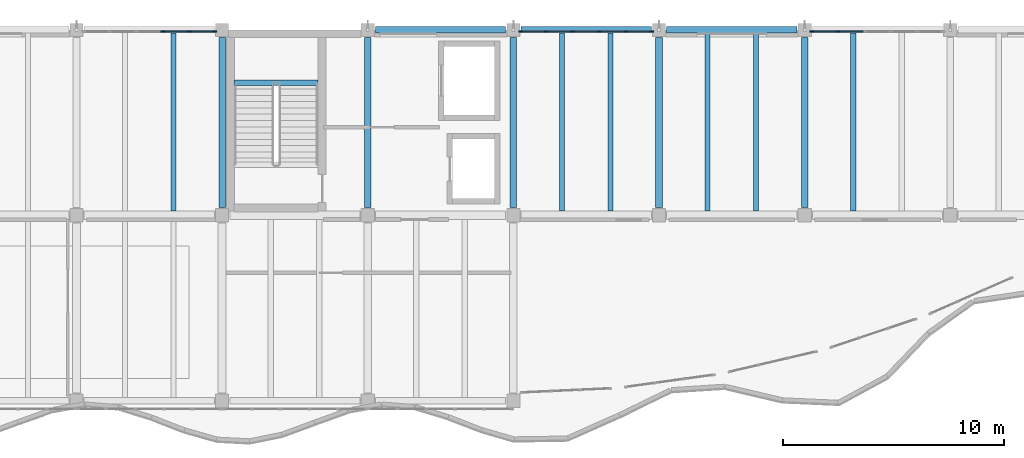
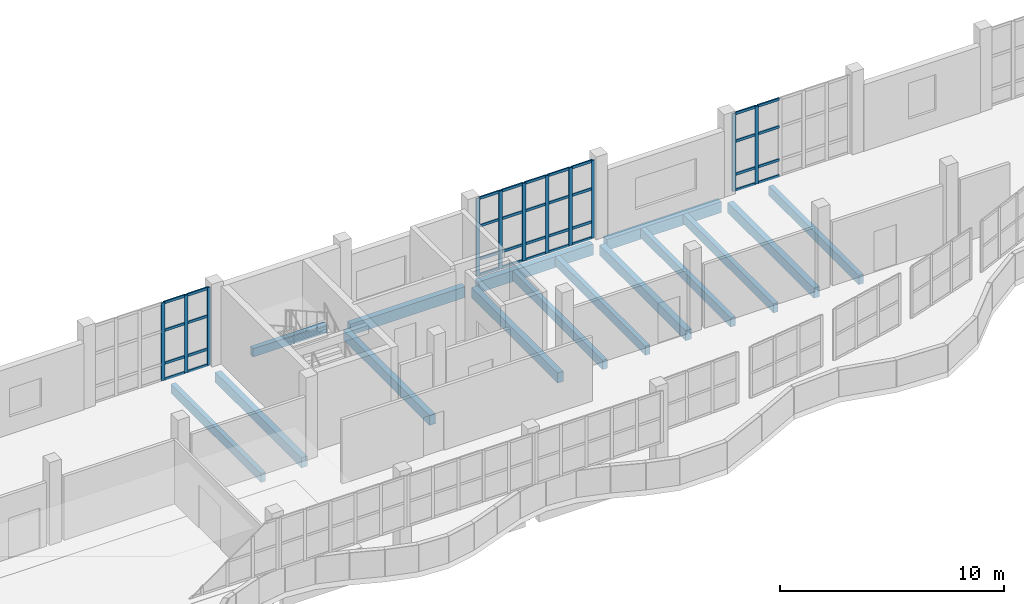
# One storey, part 16 of 76: 47 members, 15 beams, 3 elements without a shape of their own.
"""IFC4 building model written with IfcOpenShell, lengths in metres."""

from ifc_helpers import new_model, si_unit, direction, frame, origin, origin_2d, place, context, subcontext, project, spatial, rectangle, extrude, material, material_profile, profile_set, type_object, element, aggregate, save


model = new_model("IFC4")

# Units and contexts
model_context = context("Model", 3, precision=1e-05, world=origin(), true_north=direction((0.0, 1.0)))
body_context = subcontext(model_context, "Body", "Model", "MODEL_VIEW")
ifc_project = project(units=[si_unit("LENGTHUNIT", "METRE"), si_unit("AREAUNIT", "SQUARE_METRE"), si_unit("VOLUMEUNIT", "CUBIC_METRE"), si_unit("PLANEANGLEUNIT", "RADIAN"), si_unit("MASSUNIT", "GRAM", prefix="KILO")], contexts=[model_context])

# Site, building, storey
site_placement = place(None, origin())
site = spatial("IfcSite", under=ifc_project, at=site_placement, CompositionType="ELEMENT")
building_placement = place(site_placement, origin())
building = spatial("IfcBuilding", under=site, at=building_placement, Name="Qaldarim Faculty of Natural and Applied Sciences", CompositionType="ELEMENT")
storey_placement = place(building_placement, frame((0.0, 0.0, 9.89990234375)))
storey = spatial("IfcBuildingStorey", under=building, at=storey_placement, Name="L02", CompositionType="ELEMENT", Elevation=9.89990234375)

# Beams
ifc_material_1 = material(Name="Concrete C40/50", Category="concrete")
ifc_material_profile_1 = material_profile(ifc_material_1, rectangle(XDim=0.300048828125, YDim=0.550048828125, at=origin_2d()), Name="RC-B300x550")
ifc_profile_set_1 = profile_set([ifc_material_profile_1], Name="Concrete C40/50")
beam_type_1 = type_object("IfcBeamType", Name="FloorBeam-RC300x550", PredefinedType="BEAM", material=ifc_profile_set_1)
for number, where, z_axis, x_axis, name in (
    (1, (99.0, 109.550048828125, -0.574951171875), (0.0, 1.0, 0.0), (-1.0, 0.0, 0.0), "Beam RC-B300x550 L01 X16/Y14-Y15"),
    (2, (105.60009765625, 109.550048828125, -0.574951171875), (0.0, 1.0, 0.0), (-1.0, 0.0, 0.0), "Beam RC-B300x550 L01 X17/Y14-Y15"),
    (3, (112.199951171875, 109.550048828125, -0.574951171875), (0.0, 1.0, 0.0), (-1.0, 0.0, 0.0), "Beam RC-B300x550 L01 X18/Y14-Y15"),
    (4, (118.800048828125, 109.550048828125, -0.574951171875), (0.0, 1.0, 0.0), (-1.0, 0.0, 0.0), "Beam RC-B300x550 L01 X19/Y14-Y15"),
    (5, (125.39990234375, 109.550048828125, -0.574951171875), (0.0, 1.0, 0.0), (-1.0, 0.0, 0.0), "Beam RC-B300x550 L01 X20/Y14-Y15"),
):
    element("IfcBeam", number, at=place(storey_placement, frame(where, z_axis=z_axis, x_axis=x_axis)), inside=storey, type_object=beam_type_1, Name=name, PredefinedType="BEAM", context=body_context, shape_type="SweptSolid", body=[
        extrude(rectangle(XDim=0.300048828125, YDim=0.550048828125, at=origin_2d()), origin(), (0.0, 0.0, 1.0), 7.699951171875),
    ])
ifc_material_profile_2 = material_profile(ifc_material_1, rectangle(XDim=0.239990234375, YDim=0.5, at=origin_2d()), Name="RC-J240x500")
ifc_profile_set_2 = profile_set([ifc_material_profile_2], Name="Concrete C40/50")
beam_type_2 = type_object("IfcBeamType", Name="HeavyJoist-RC240x500", PredefinedType="JOIST", material=ifc_profile_set_2)
for number, where, z_axis, x_axis, name in (
    (6, (96.800048828125, 109.39990234375, -0.5498046875), (0.0, 1.0, 0.0), (-1.0, 0.0, 0.0), "Laboratory joist L01 bay X15Y14-2"),
    (7, (114.39990234375, 109.39990234375, -0.5498046875), (0.0, 1.0, 0.0), (-1.0, 0.0, 0.0), "Laboratory joist L01 bay X18Y14-1"),
    (8, (116.60009765625, 109.39990234375, -0.5498046875), (0.0, 1.0, 0.0), (-1.0, 0.0, 0.0), "Laboratory joist L01 bay X18Y14-2"),
    (9, (121.0, 109.39990234375, -0.5498046875), (0.0, 1.0, 0.0), (-1.0, 0.0, 0.0), "Laboratory joist L01 bay X19Y14-1"),
    (10, (123.199951171875, 109.39990234375, -0.5498046875), (0.0, 1.0, 0.0), (-1.0, 0.0, 0.0), "Laboratory joist L01 bay X19Y14-2"),
    (11, (127.60009765625, 109.39990234375, -0.5498046875), (0.0, 1.0, 0.0), (-1.0, 0.0, 0.0), "Laboratory joist L01 bay X20Y14-1"),
):
    element("IfcBeam", number, at=place(storey_placement, frame(where, z_axis=z_axis, x_axis=x_axis)), inside=storey, type_object=beam_type_2, Name=name, PredefinedType="JOIST", context=body_context, shape_type="SweptSolid", body=[
        extrude(rectangle(XDim=0.239990234375, YDim=0.5, at=origin_2d()), origin(), (0.0, 0.0, 1.0), 8.050048828125),
    ])
ifc_material_profile_3 = material_profile(ifc_material_1, rectangle(XDim=0.25, YDim=0.449951171875, at=origin_2d()), Name="RC-LN250x450")
ifc_profile_set_3 = profile_set([ifc_material_profile_3], Name="Concrete C40/50")
beam_type_3 = type_object("IfcBeamType", Name="LandingSupportBeam-RC250x450", PredefinedType="BEAM", material=ifc_profile_set_3)
beam_1_placement = place(storey_placement, frame((99.550048828125, 115.205078125, 1.815185546875), z_axis=(1.0, 0.0, 0.0), x_axis=(0.0, 1.0, 0.0)))
element("IfcBeam", 12, at=beam_1_placement, inside=storey, type_object=beam_type_3, Name="Stair landing support beam ST-B1 L02", PredefinedType="BEAM", context=body_context, shape_type="SweptSolid", body=[
    extrude(rectangle(XDim=0.25, YDim=0.449951171875, at=origin_2d()), origin(), (0.0, 0.0, 1.0), 3.800048828125),
])

# Curtain wall, members
ifc_material_2 = material(Name="Anodised aluminium AW-6063", Category="aluminium")
curtain_wall_type = type_object("IfcCurtainWallType", Name="CurtainWallSystem-M1200", PredefinedType="USERDEFINED", material=ifc_material_2)
curtain_wall_1_placement = place(storey_placement, origin())
curtain_wall_1 = element("IfcCurtainWall", 13, at=curtain_wall_1_placement, inside=storey, type_object=curtain_wall_type, Name="Curtain wall CW-L02-N-X15Y14", ObjectType="STICK CURTAIN WALL", PredefinedType="USERDEFINED")
ifc_material_profile_4 = material_profile(ifc_material_2, rectangle(XDim=0.070068359375, YDim=0.179931640625, at=origin_2d()), Name="ALU-M70x180")
ifc_profile_set_4 = profile_set([ifc_material_profile_4], Name="Anodised aluminium AW-6063")
member_type_1 = type_object("IfcMemberType", Name="Mullion-ALU70x180", PredefinedType="MULLION", material=ifc_profile_set_4)
member_1_placement = place(storey_placement, frame((98.669921875, 117.52001953125, 0.0), z_axis=(0.0, 0.0, 1.0), x_axis=(0.0, -1.0, 0.0)))
member_1 = element("IfcMember", 14, at=member_1_placement, type_object=member_type_1, Name="Mullion 1 of CW-L02-N-X15Y14", PredefinedType="MULLION", context=body_context, shape_type="SweptSolid", body=[
    extrude(rectangle(XDim=0.070068359375, YDim=0.179931640625, at=origin_2d()), origin(), (0.0, 0.0, 1.0), 4.239990234375),
])
member_2_placement = place(storey_placement, frame((97.5029296875, 117.52001953125, 0.0), z_axis=(0.0, 0.0, 1.0), x_axis=(0.0, -1.0, 0.0)))
member_2 = element("IfcMember", 15, at=member_2_placement, type_object=member_type_1, Name="Mullion 2 of CW-L02-N-X15Y14", PredefinedType="MULLION", context=body_context, shape_type="SweptSolid", body=[
    extrude(rectangle(XDim=0.070068359375, YDim=0.179931640625, at=origin_2d()), origin(), (0.0, 0.0, 1.0), 4.239990234375),
])
member_3_placement = place(storey_placement, frame((96.301025390625, 117.52001953125, 0.0), z_axis=(0.0, 0.0, 1.0), x_axis=(0.0, -1.0, 0.0)))
member_3 = element("IfcMember", 16, at=member_3_placement, type_object=member_type_1, Name="Mullion 3 of CW-L02-N-X15Y14", PredefinedType="MULLION", context=body_context, shape_type="SweptSolid", body=[
    extrude(rectangle(XDim=0.070068359375, YDim=0.179931640625, at=origin_2d()), origin(), (0.0, 0.0, 1.0), 4.239990234375),
])

curtain_wall_2_placement = place(storey_placement, origin())
curtain_wall_2 = element("IfcCurtainWall", 17, at=curtain_wall_2_placement, inside=storey, type_object=curtain_wall_type, Name="Curtain wall CW-L02-N-X18Y14", ObjectType="STICK CURTAIN WALL", PredefinedType="USERDEFINED")
member_4_placement = place(storey_placement, frame((118.469970703125, 117.52001953125, 0.0), z_axis=(0.0, 0.0, 1.0), x_axis=(0.0, -1.0, 0.0)))
member_4 = element("IfcMember", 18, at=member_4_placement, type_object=member_type_1, Name="Mullion 1 of CW-L02-N-X18Y14", PredefinedType="MULLION", context=body_context, shape_type="SweptSolid", body=[
    extrude(rectangle(XDim=0.070068359375, YDim=0.179931640625, at=origin_2d()), origin(), (0.0, 0.0, 1.0), 4.239990234375),
])
member_5_placement = place(storey_placement, frame((117.302978515625, 117.52001953125, 0.0), z_axis=(0.0, 0.0, 1.0), x_axis=(0.0, -1.0, 0.0)))
member_5 = element("IfcMember", 19, at=member_5_placement, type_object=member_type_1, Name="Mullion 2 of CW-L02-N-X18Y14", PredefinedType="MULLION", context=body_context, shape_type="SweptSolid", body=[
    extrude(rectangle(XDim=0.070068359375, YDim=0.179931640625, at=origin_2d()), origin(), (0.0, 0.0, 1.0), 4.239990234375),
])
member_6_placement = place(storey_placement, frame((116.10107421875, 117.52001953125, 0.0), z_axis=(0.0, 0.0, 1.0), x_axis=(0.0, -1.0, 0.0)))
member_6 = element("IfcMember", 20, at=member_6_placement, type_object=member_type_1, Name="Mullion 3 of CW-L02-N-X18Y14", PredefinedType="MULLION", context=body_context, shape_type="SweptSolid", body=[
    extrude(rectangle(XDim=0.070068359375, YDim=0.179931640625, at=origin_2d()), origin(), (0.0, 0.0, 1.0), 4.239990234375),
])
member_7_placement = place(storey_placement, frame((114.89892578125, 117.52001953125, 0.0), z_axis=(0.0, 0.0, 1.0), x_axis=(0.0, -1.0, 0.0)))
member_7 = element("IfcMember", 21, at=member_7_placement, type_object=member_type_1, Name="Mullion 4 of CW-L02-N-X18Y14", PredefinedType="MULLION", context=body_context, shape_type="SweptSolid", body=[
    extrude(rectangle(XDim=0.070068359375, YDim=0.179931640625, at=origin_2d()), origin(), (0.0, 0.0, 1.0), 4.239990234375),
])
member_8_placement = place(storey_placement, frame((113.697021484375, 117.52001953125, 0.0), z_axis=(0.0, 0.0, 1.0), x_axis=(0.0, -1.0, 0.0)))
member_8 = element("IfcMember", 22, at=member_8_placement, type_object=member_type_1, Name="Mullion 5 of CW-L02-N-X18Y14", PredefinedType="MULLION", context=body_context, shape_type="SweptSolid", body=[
    extrude(rectangle(XDim=0.070068359375, YDim=0.179931640625, at=origin_2d()), origin(), (0.0, 0.0, 1.0), 4.239990234375),
])
member_9_placement = place(storey_placement, frame((112.530029296875, 117.52001953125, 0.0), z_axis=(0.0, 0.0, 1.0), x_axis=(0.0, -1.0, 0.0)))
member_9 = element("IfcMember", 23, at=member_9_placement, type_object=member_type_1, Name="Mullion 6 of CW-L02-N-X18Y14", PredefinedType="MULLION", context=body_context, shape_type="SweptSolid", body=[
    extrude(rectangle(XDim=0.070068359375, YDim=0.179931640625, at=origin_2d()), origin(), (0.0, 0.0, 1.0), 4.239990234375),
])

curtain_wall_3_placement = place(storey_placement, origin())
curtain_wall_3 = element("IfcCurtainWall", 24, at=curtain_wall_3_placement, inside=storey, type_object=curtain_wall_type, Name="Curtain wall CW-L02-N-X20Y14", ObjectType="STICK CURTAIN WALL", PredefinedType="USERDEFINED")
member_10_placement = place(storey_placement, frame((126.89697265625, 117.52001953125, 0.0), z_axis=(0.0, 0.0, 1.0), x_axis=(0.0, -1.0, 0.0)))
member_10 = element("IfcMember", 25, at=member_10_placement, type_object=member_type_1, Name="Mullion 5 of CW-L02-N-X20Y14", PredefinedType="MULLION", context=body_context, shape_type="SweptSolid", body=[
    extrude(rectangle(XDim=0.070068359375, YDim=0.179931640625, at=origin_2d()), origin(), (0.0, 0.0, 1.0), 4.239990234375),
])
member_11_placement = place(storey_placement, frame((125.72998046875, 117.52001953125, 0.0), z_axis=(0.0, 0.0, 1.0), x_axis=(0.0, -1.0, 0.0)))
member_11 = element("IfcMember", 26, at=member_11_placement, type_object=member_type_1, Name="Mullion 6 of CW-L02-N-X20Y14", PredefinedType="MULLION", context=body_context, shape_type="SweptSolid", body=[
    extrude(rectangle(XDim=0.070068359375, YDim=0.179931640625, at=origin_2d()), origin(), (0.0, 0.0, 1.0), 4.239990234375),
])

# Beams
ifc_material_3 = material(Name="Precast concrete C40/50", Category="concrete")
ifc_material_profile_5 = material_profile(ifc_material_3, rectangle(XDim=0.300048828125, YDim=0.60009765625, at=origin_2d()), Name="RC-SP300x600")
ifc_profile_set_5 = profile_set([ifc_material_profile_5], Name="Precast concrete C40/50")
beam_type_4 = type_object("IfcBeamType", Name="SpandrelBeam-RC300x600", PredefinedType="SPANDREL", material=ifc_profile_set_5)
beam_2_placement = place(storey_placement, frame((105.949951171875, 117.60009765625, -0.599853515625), z_axis=(1.0, 0.0, 0.0), x_axis=(0.0, 1.0, 0.0)))
element("IfcBeam", 27, at=beam_2_placement, inside=storey, type_object=beam_type_4, Name="Beam RC-SP300x600 L01 X17-X18/Y15", PredefinedType="SPANDREL", context=body_context, shape_type="SweptSolid", body=[
    extrude(rectangle(XDim=0.300048828125, YDim=0.60009765625, at=origin_2d()), origin(), (0.0, 0.0, 1.0), 5.900146484375),
])
beam_3_placement = place(storey_placement, frame((112.550048828125, 117.60009765625, -0.599853515625), z_axis=(1.0, 0.0, 0.0), x_axis=(0.0, 1.0, 0.0)))
element("IfcBeam", 28, at=beam_3_placement, inside=storey, type_object=beam_type_4, Name="Beam RC-SP300x600 L01 X18-X19/Y15", PredefinedType="SPANDREL", context=body_context, shape_type="SweptSolid", body=[
    extrude(rectangle(XDim=0.300048828125, YDim=0.60009765625, at=origin_2d()), origin(), (0.0, 0.0, 1.0), 5.89990234375),
])
beam_4_placement = place(storey_placement, frame((119.14990234375, 117.60009765625, -0.599853515625), z_axis=(1.0, 0.0, 0.0), x_axis=(0.0, 1.0, 0.0)))
element("IfcBeam", 29, at=beam_4_placement, inside=storey, type_object=beam_type_4, Name="Beam RC-SP300x600 L01 X19-X20/Y15", PredefinedType="SPANDREL", context=body_context, shape_type="SweptSolid", body=[
    extrude(rectangle(XDim=0.300048828125, YDim=0.60009765625, at=origin_2d()), origin(), (0.0, 0.0, 1.0), 5.900146484375),
])

# Member
ifc_material_profile_6 = material_profile(ifc_material_2, rectangle(XDim=0.070068359375, YDim=0.139892578125, at=origin_2d()), Name="ALU-T70x140")
ifc_profile_set_6 = profile_set([ifc_material_profile_6], Name="Anodised aluminium AW-6063")
member_type_2 = type_object("IfcMemberType", Name="Transom-ALU70x140", PredefinedType="USERDEFINED", material=ifc_profile_set_6)
member_12_placement = place(storey_placement, frame((98.635009765625, 117.52001953125, 0.03515625), z_axis=(-1.0, 0.0, 0.0), x_axis=(0.0, -1.0, 0.0)))
member_12 = element("IfcMember", 30, at=member_12_placement, type_object=member_type_2, Name="Transom 1-1 of CW-L02-N-X15Y14", ObjectType="TRANSOM", PredefinedType="USERDEFINED", context=body_context, shape_type="SweptSolid", body=[
    extrude(rectangle(XDim=0.070068359375, YDim=0.139892578125, at=origin_2d()), origin(), (0.0, 0.0, 1.0), 1.096923828125),
])

member_13_placement = place(storey_placement, frame((98.635009765625, 117.52001953125, 0.900146484375), z_axis=(-1.0, 0.0, 0.0), x_axis=(0.0, -1.0, 0.0)))
member_13 = element("IfcMember", 31, at=member_13_placement, type_object=member_type_2, Name="Transom 1-2 of CW-L02-N-X15Y14", ObjectType="TRANSOM", PredefinedType="USERDEFINED", context=body_context, shape_type="SweptSolid", body=[
    extrude(rectangle(XDim=0.070068359375, YDim=0.139892578125, at=origin_2d()), origin(), (0.0, 0.0, 1.0), 1.096923828125),
])

member_14_placement = place(storey_placement, frame((98.635009765625, 117.52001953125, 2.7001953125), z_axis=(-1.0, 0.0, 0.0), x_axis=(0.0, -1.0, 0.0)))
member_14 = element("IfcMember", 32, at=member_14_placement, type_object=member_type_2, Name="Transom 1-3 of CW-L02-N-X15Y14", ObjectType="TRANSOM", PredefinedType="USERDEFINED", context=body_context, shape_type="SweptSolid", body=[
    extrude(rectangle(XDim=0.070068359375, YDim=0.139892578125, at=origin_2d()), origin(), (0.0, 0.0, 1.0), 1.096923828125),
])

member_15_placement = place(storey_placement, frame((98.635009765625, 117.52001953125, 4.205078125), z_axis=(-1.0, 0.0, 0.0), x_axis=(0.0, -1.0, 0.0)))
member_15 = element("IfcMember", 33, at=member_15_placement, type_object=member_type_2, Name="Transom 1-4 of CW-L02-N-X15Y14", ObjectType="TRANSOM", PredefinedType="USERDEFINED", context=body_context, shape_type="SweptSolid", body=[
    extrude(rectangle(XDim=0.070068359375, YDim=0.139892578125, at=origin_2d()), origin(), (0.0, 0.0, 1.0), 1.096923828125),
])

member_16_placement = place(storey_placement, frame((97.468017578125, 117.52001953125, 0.03515625), z_axis=(-1.0, 0.0, 0.0), x_axis=(0.0, -1.0, 0.0)))
member_16 = element("IfcMember", 34, at=member_16_placement, type_object=member_type_2, Name="Transom 2-1 of CW-L02-N-X15Y14", ObjectType="TRANSOM", PredefinedType="USERDEFINED", context=body_context, shape_type="SweptSolid", body=[
    extrude(rectangle(XDim=0.070068359375, YDim=0.139892578125, at=origin_2d()), origin(), (0.0, 0.0, 1.0), 1.132080078125),
])

member_17_placement = place(storey_placement, frame((97.468017578125, 117.52001953125, 0.900146484375), z_axis=(-1.0, 0.0, 0.0), x_axis=(0.0, -1.0, 0.0)))
member_17 = element("IfcMember", 35, at=member_17_placement, type_object=member_type_2, Name="Transom 2-2 of CW-L02-N-X15Y14", ObjectType="TRANSOM", PredefinedType="USERDEFINED", context=body_context, shape_type="SweptSolid", body=[
    extrude(rectangle(XDim=0.070068359375, YDim=0.139892578125, at=origin_2d()), origin(), (0.0, 0.0, 1.0), 1.132080078125),
])

member_18_placement = place(storey_placement, frame((97.468017578125, 117.52001953125, 2.7001953125), z_axis=(-1.0, 0.0, 0.0), x_axis=(0.0, -1.0, 0.0)))
member_18 = element("IfcMember", 36, at=member_18_placement, type_object=member_type_2, Name="Transom 2-3 of CW-L02-N-X15Y14", ObjectType="TRANSOM", PredefinedType="USERDEFINED", context=body_context, shape_type="SweptSolid", body=[
    extrude(rectangle(XDim=0.070068359375, YDim=0.139892578125, at=origin_2d()), origin(), (0.0, 0.0, 1.0), 1.132080078125),
])

member_19_placement = place(storey_placement, frame((97.468017578125, 117.52001953125, 4.205078125), z_axis=(-1.0, 0.0, 0.0), x_axis=(0.0, -1.0, 0.0)))
member_19 = element("IfcMember", 37, at=member_19_placement, type_object=member_type_2, Name="Transom 2-4 of CW-L02-N-X15Y14", ObjectType="TRANSOM", PredefinedType="USERDEFINED", context=body_context, shape_type="SweptSolid", body=[
    extrude(rectangle(XDim=0.070068359375, YDim=0.139892578125, at=origin_2d()), origin(), (0.0, 0.0, 1.0), 1.132080078125),
])

aggregate(curtain_wall_1, [member_1, member_2, member_3, member_12, member_13, member_14, member_15, member_16, member_17, member_18, member_19])

member_20_placement = place(storey_placement, frame((118.43505859375, 117.52001953125, 0.03515625), z_axis=(-1.0, 0.0, 0.0), x_axis=(0.0, -1.0, 0.0)))
member_20 = element("IfcMember", 38, at=member_20_placement, type_object=member_type_2, Name="Transom 1-1 of CW-L02-N-X18Y14", ObjectType="TRANSOM", PredefinedType="USERDEFINED", context=body_context, shape_type="SweptSolid", body=[
    extrude(rectangle(XDim=0.070068359375, YDim=0.139892578125, at=origin_2d()), origin(), (0.0, 0.0, 1.0), 1.09716796875),
])

member_21_placement = place(storey_placement, frame((118.43505859375, 117.52001953125, 0.900146484375), z_axis=(-1.0, 0.0, 0.0), x_axis=(0.0, -1.0, 0.0)))
member_21 = element("IfcMember", 39, at=member_21_placement, type_object=member_type_2, Name="Transom 1-2 of CW-L02-N-X18Y14", ObjectType="TRANSOM", PredefinedType="USERDEFINED", context=body_context, shape_type="SweptSolid", body=[
    extrude(rectangle(XDim=0.070068359375, YDim=0.139892578125, at=origin_2d()), origin(), (0.0, 0.0, 1.0), 1.09716796875),
])

member_22_placement = place(storey_placement, frame((118.43505859375, 117.52001953125, 2.7001953125), z_axis=(-1.0, 0.0, 0.0), x_axis=(0.0, -1.0, 0.0)))
member_22 = element("IfcMember", 40, at=member_22_placement, type_object=member_type_2, Name="Transom 1-3 of CW-L02-N-X18Y14", ObjectType="TRANSOM", PredefinedType="USERDEFINED", context=body_context, shape_type="SweptSolid", body=[
    extrude(rectangle(XDim=0.070068359375, YDim=0.139892578125, at=origin_2d()), origin(), (0.0, 0.0, 1.0), 1.09716796875),
])

member_23_placement = place(storey_placement, frame((118.43505859375, 117.52001953125, 4.205078125), z_axis=(-1.0, 0.0, 0.0), x_axis=(0.0, -1.0, 0.0)))
member_23 = element("IfcMember", 41, at=member_23_placement, type_object=member_type_2, Name="Transom 1-4 of CW-L02-N-X18Y14", ObjectType="TRANSOM", PredefinedType="USERDEFINED", context=body_context, shape_type="SweptSolid", body=[
    extrude(rectangle(XDim=0.070068359375, YDim=0.139892578125, at=origin_2d()), origin(), (0.0, 0.0, 1.0), 1.09716796875),
])

member_24_placement = place(storey_placement, frame((117.26806640625, 117.52001953125, 0.03515625), z_axis=(-1.0, 0.0, 0.0), x_axis=(0.0, -1.0, 0.0)))
member_24 = element("IfcMember", 42, at=member_24_placement, type_object=member_type_2, Name="Transom 2-1 of CW-L02-N-X18Y14", ObjectType="TRANSOM", PredefinedType="USERDEFINED", context=body_context, shape_type="SweptSolid", body=[
    extrude(rectangle(XDim=0.070068359375, YDim=0.139892578125, at=origin_2d()), origin(), (0.0, 0.0, 1.0), 1.132080078125),
])

member_25_placement = place(storey_placement, frame((117.26806640625, 117.52001953125, 0.900146484375), z_axis=(-1.0, 0.0, 0.0), x_axis=(0.0, -1.0, 0.0)))
member_25 = element("IfcMember", 43, at=member_25_placement, type_object=member_type_2, Name="Transom 2-2 of CW-L02-N-X18Y14", ObjectType="TRANSOM", PredefinedType="USERDEFINED", context=body_context, shape_type="SweptSolid", body=[
    extrude(rectangle(XDim=0.070068359375, YDim=0.139892578125, at=origin_2d()), origin(), (0.0, 0.0, 1.0), 1.132080078125),
])

member_26_placement = place(storey_placement, frame((117.26806640625, 117.52001953125, 2.7001953125), z_axis=(-1.0, 0.0, 0.0), x_axis=(0.0, -1.0, 0.0)))
member_26 = element("IfcMember", 44, at=member_26_placement, type_object=member_type_2, Name="Transom 2-3 of CW-L02-N-X18Y14", ObjectType="TRANSOM", PredefinedType="USERDEFINED", context=body_context, shape_type="SweptSolid", body=[
    extrude(rectangle(XDim=0.070068359375, YDim=0.139892578125, at=origin_2d()), origin(), (0.0, 0.0, 1.0), 1.132080078125),
])

member_27_placement = place(storey_placement, frame((117.26806640625, 117.52001953125, 4.205078125), z_axis=(-1.0, 0.0, 0.0), x_axis=(0.0, -1.0, 0.0)))
member_27 = element("IfcMember", 45, at=member_27_placement, type_object=member_type_2, Name="Transom 2-4 of CW-L02-N-X18Y14", ObjectType="TRANSOM", PredefinedType="USERDEFINED", context=body_context, shape_type="SweptSolid", body=[
    extrude(rectangle(XDim=0.070068359375, YDim=0.139892578125, at=origin_2d()), origin(), (0.0, 0.0, 1.0), 1.132080078125),
])

member_28_placement = place(storey_placement, frame((116.06591796875, 117.52001953125, 0.03515625), z_axis=(-1.0, 0.0, 0.0), x_axis=(0.0, -1.0, 0.0)))
member_28 = element("IfcMember", 46, at=member_28_placement, type_object=member_type_2, Name="Transom 3-1 of CW-L02-N-X18Y14", ObjectType="TRANSOM", PredefinedType="USERDEFINED", context=body_context, shape_type="SweptSolid", body=[
    extrude(rectangle(XDim=0.070068359375, YDim=0.139892578125, at=origin_2d()), origin(), (0.0, 0.0, 1.0), 1.1318359375),
])

member_29_placement = place(storey_placement, frame((116.06591796875, 117.52001953125, 0.900146484375), z_axis=(-1.0, 0.0, 0.0), x_axis=(0.0, -1.0, 0.0)))
member_29 = element("IfcMember", 47, at=member_29_placement, type_object=member_type_2, Name="Transom 3-2 of CW-L02-N-X18Y14", ObjectType="TRANSOM", PredefinedType="USERDEFINED", context=body_context, shape_type="SweptSolid", body=[
    extrude(rectangle(XDim=0.070068359375, YDim=0.139892578125, at=origin_2d()), origin(), (0.0, 0.0, 1.0), 1.1318359375),
])

member_30_placement = place(storey_placement, frame((116.06591796875, 117.52001953125, 2.7001953125), z_axis=(-1.0, 0.0, 0.0), x_axis=(0.0, -1.0, 0.0)))
member_30 = element("IfcMember", 48, at=member_30_placement, type_object=member_type_2, Name="Transom 3-3 of CW-L02-N-X18Y14", ObjectType="TRANSOM", PredefinedType="USERDEFINED", context=body_context, shape_type="SweptSolid", body=[
    extrude(rectangle(XDim=0.070068359375, YDim=0.139892578125, at=origin_2d()), origin(), (0.0, 0.0, 1.0), 1.1318359375),
])

member_31_placement = place(storey_placement, frame((116.06591796875, 117.52001953125, 4.205078125), z_axis=(-1.0, 0.0, 0.0), x_axis=(0.0, -1.0, 0.0)))
member_31 = element("IfcMember", 49, at=member_31_placement, type_object=member_type_2, Name="Transom 3-4 of CW-L02-N-X18Y14", ObjectType="TRANSOM", PredefinedType="USERDEFINED", context=body_context, shape_type="SweptSolid", body=[
    extrude(rectangle(XDim=0.070068359375, YDim=0.139892578125, at=origin_2d()), origin(), (0.0, 0.0, 1.0), 1.1318359375),
])

member_32_placement = place(storey_placement, frame((114.864013671875, 117.52001953125, 0.03515625), z_axis=(-1.0, 0.0, 0.0), x_axis=(0.0, -1.0, 0.0)))
member_32 = element("IfcMember", 50, at=member_32_placement, type_object=member_type_2, Name="Transom 4-1 of CW-L02-N-X18Y14", ObjectType="TRANSOM", PredefinedType="USERDEFINED", context=body_context, shape_type="SweptSolid", body=[
    extrude(rectangle(XDim=0.070068359375, YDim=0.139892578125, at=origin_2d()), origin(), (0.0, 0.0, 1.0), 1.132080078125),
])

member_33_placement = place(storey_placement, frame((114.864013671875, 117.52001953125, 0.900146484375), z_axis=(-1.0, 0.0, 0.0), x_axis=(0.0, -1.0, 0.0)))
member_33 = element("IfcMember", 51, at=member_33_placement, type_object=member_type_2, Name="Transom 4-2 of CW-L02-N-X18Y14", ObjectType="TRANSOM", PredefinedType="USERDEFINED", context=body_context, shape_type="SweptSolid", body=[
    extrude(rectangle(XDim=0.070068359375, YDim=0.139892578125, at=origin_2d()), origin(), (0.0, 0.0, 1.0), 1.132080078125),
])

member_34_placement = place(storey_placement, frame((114.864013671875, 117.52001953125, 2.7001953125), z_axis=(-1.0, 0.0, 0.0), x_axis=(0.0, -1.0, 0.0)))
member_34 = element("IfcMember", 52, at=member_34_placement, type_object=member_type_2, Name="Transom 4-3 of CW-L02-N-X18Y14", ObjectType="TRANSOM", PredefinedType="USERDEFINED", context=body_context, shape_type="SweptSolid", body=[
    extrude(rectangle(XDim=0.070068359375, YDim=0.139892578125, at=origin_2d()), origin(), (0.0, 0.0, 1.0), 1.132080078125),
])

member_35_placement = place(storey_placement, frame((114.864013671875, 117.52001953125, 4.205078125), z_axis=(-1.0, 0.0, 0.0), x_axis=(0.0, -1.0, 0.0)))
member_35 = element("IfcMember", 53, at=member_35_placement, type_object=member_type_2, Name="Transom 4-4 of CW-L02-N-X18Y14", ObjectType="TRANSOM", PredefinedType="USERDEFINED", context=body_context, shape_type="SweptSolid", body=[
    extrude(rectangle(XDim=0.070068359375, YDim=0.139892578125, at=origin_2d()), origin(), (0.0, 0.0, 1.0), 1.132080078125),
])

member_36_placement = place(storey_placement, frame((113.662109375, 117.52001953125, 0.03515625), z_axis=(-1.0, 0.0, 0.0), x_axis=(0.0, -1.0, 0.0)))
member_36 = element("IfcMember", 54, at=member_36_placement, type_object=member_type_2, Name="Transom 5-1 of CW-L02-N-X18Y14", ObjectType="TRANSOM", PredefinedType="USERDEFINED", context=body_context, shape_type="SweptSolid", body=[
    extrude(rectangle(XDim=0.070068359375, YDim=0.139892578125, at=origin_2d()), origin(), (0.0, 0.0, 1.0), 1.09716796875),
])

member_37_placement = place(storey_placement, frame((113.662109375, 117.52001953125, 0.900146484375), z_axis=(-1.0, 0.0, 0.0), x_axis=(0.0, -1.0, 0.0)))
member_37 = element("IfcMember", 55, at=member_37_placement, type_object=member_type_2, Name="Transom 5-2 of CW-L02-N-X18Y14", ObjectType="TRANSOM", PredefinedType="USERDEFINED", context=body_context, shape_type="SweptSolid", body=[
    extrude(rectangle(XDim=0.070068359375, YDim=0.139892578125, at=origin_2d()), origin(), (0.0, 0.0, 1.0), 1.09716796875),
])

member_38_placement = place(storey_placement, frame((113.662109375, 117.52001953125, 2.7001953125), z_axis=(-1.0, 0.0, 0.0), x_axis=(0.0, -1.0, 0.0)))
member_38 = element("IfcMember", 56, at=member_38_placement, type_object=member_type_2, Name="Transom 5-3 of CW-L02-N-X18Y14", ObjectType="TRANSOM", PredefinedType="USERDEFINED", context=body_context, shape_type="SweptSolid", body=[
    extrude(rectangle(XDim=0.070068359375, YDim=0.139892578125, at=origin_2d()), origin(), (0.0, 0.0, 1.0), 1.09716796875),
])

member_39_placement = place(storey_placement, frame((113.662109375, 117.52001953125, 4.205078125), z_axis=(-1.0, 0.0, 0.0), x_axis=(0.0, -1.0, 0.0)))
member_39 = element("IfcMember", 57, at=member_39_placement, type_object=member_type_2, Name="Transom 5-4 of CW-L02-N-X18Y14", ObjectType="TRANSOM", PredefinedType="USERDEFINED", context=body_context, shape_type="SweptSolid", body=[
    extrude(rectangle(XDim=0.070068359375, YDim=0.139892578125, at=origin_2d()), origin(), (0.0, 0.0, 1.0), 1.09716796875),
])

aggregate(curtain_wall_2, [member_4, member_5, member_6, member_7, member_8, member_9, member_20, member_21, member_22, member_23, member_24, member_25, member_26, member_27, member_28, member_29, member_30, member_31, member_32, member_33, member_34, member_35, member_36, member_37, member_38, member_39])

member_40_placement = place(storey_placement, frame((128.06396484375, 117.52001953125, 0.03515625), z_axis=(-1.0, 0.0, 0.0), x_axis=(0.0, -1.0, 0.0)))
member_40 = element("IfcMember", 58, at=member_40_placement, type_object=member_type_2, Name="Transom 4-1 of CW-L02-N-X20Y14", ObjectType="TRANSOM", PredefinedType="USERDEFINED", context=body_context, shape_type="SweptSolid", body=[
    extrude(rectangle(XDim=0.070068359375, YDim=0.139892578125, at=origin_2d()), origin(), (0.0, 0.0, 1.0), 1.132080078125),
])

member_41_placement = place(storey_placement, frame((128.06396484375, 117.52001953125, 0.900146484375), z_axis=(-1.0, 0.0, 0.0), x_axis=(0.0, -1.0, 0.0)))
member_41 = element("IfcMember", 59, at=member_41_placement, type_object=member_type_2, Name="Transom 4-2 of CW-L02-N-X20Y14", ObjectType="TRANSOM", PredefinedType="USERDEFINED", context=body_context, shape_type="SweptSolid", body=[
    extrude(rectangle(XDim=0.070068359375, YDim=0.139892578125, at=origin_2d()), origin(), (0.0, 0.0, 1.0), 1.132080078125),
])

member_42_placement = place(storey_placement, frame((128.06396484375, 117.52001953125, 2.7001953125), z_axis=(-1.0, 0.0, 0.0), x_axis=(0.0, -1.0, 0.0)))
member_42 = element("IfcMember", 60, at=member_42_placement, type_object=member_type_2, Name="Transom 4-3 of CW-L02-N-X20Y14", ObjectType="TRANSOM", PredefinedType="USERDEFINED", context=body_context, shape_type="SweptSolid", body=[
    extrude(rectangle(XDim=0.070068359375, YDim=0.139892578125, at=origin_2d()), origin(), (0.0, 0.0, 1.0), 1.132080078125),
])

member_43_placement = place(storey_placement, frame((128.06396484375, 117.52001953125, 4.205078125), z_axis=(-1.0, 0.0, 0.0), x_axis=(0.0, -1.0, 0.0)))
member_43 = element("IfcMember", 61, at=member_43_placement, type_object=member_type_2, Name="Transom 4-4 of CW-L02-N-X20Y14", ObjectType="TRANSOM", PredefinedType="USERDEFINED", context=body_context, shape_type="SweptSolid", body=[
    extrude(rectangle(XDim=0.070068359375, YDim=0.139892578125, at=origin_2d()), origin(), (0.0, 0.0, 1.0), 1.132080078125),
])

member_44_placement = place(storey_placement, frame((126.862060546875, 117.52001953125, 0.03515625), z_axis=(-1.0, 0.0, 0.0), x_axis=(0.0, -1.0, 0.0)))
member_44 = element("IfcMember", 62, at=member_44_placement, type_object=member_type_2, Name="Transom 5-1 of CW-L02-N-X20Y14", ObjectType="TRANSOM", PredefinedType="USERDEFINED", context=body_context, shape_type="SweptSolid", body=[
    extrude(rectangle(XDim=0.070068359375, YDim=0.139892578125, at=origin_2d()), origin(), (0.0, 0.0, 1.0), 1.09716796875),
])

member_45_placement = place(storey_placement, frame((126.862060546875, 117.52001953125, 0.900146484375), z_axis=(-1.0, 0.0, 0.0), x_axis=(0.0, -1.0, 0.0)))
member_45 = element("IfcMember", 63, at=member_45_placement, type_object=member_type_2, Name="Transom 5-2 of CW-L02-N-X20Y14", ObjectType="TRANSOM", PredefinedType="USERDEFINED", context=body_context, shape_type="SweptSolid", body=[
    extrude(rectangle(XDim=0.070068359375, YDim=0.139892578125, at=origin_2d()), origin(), (0.0, 0.0, 1.0), 1.09716796875),
])

member_46_placement = place(storey_placement, frame((126.862060546875, 117.52001953125, 2.7001953125), z_axis=(-1.0, 0.0, 0.0), x_axis=(0.0, -1.0, 0.0)))
member_46 = element("IfcMember", 64, at=member_46_placement, type_object=member_type_2, Name="Transom 5-3 of CW-L02-N-X20Y14", ObjectType="TRANSOM", PredefinedType="USERDEFINED", context=body_context, shape_type="SweptSolid", body=[
    extrude(rectangle(XDim=0.070068359375, YDim=0.139892578125, at=origin_2d()), origin(), (0.0, 0.0, 1.0), 1.09716796875),
])

member_47_placement = place(storey_placement, frame((126.862060546875, 117.52001953125, 4.205078125), z_axis=(-1.0, 0.0, 0.0), x_axis=(0.0, -1.0, 0.0)))
member_47 = element("IfcMember", 65, at=member_47_placement, type_object=member_type_2, Name="Transom 5-4 of CW-L02-N-X20Y14", ObjectType="TRANSOM", PredefinedType="USERDEFINED", context=body_context, shape_type="SweptSolid", body=[
    extrude(rectangle(XDim=0.070068359375, YDim=0.139892578125, at=origin_2d()), origin(), (0.0, 0.0, 1.0), 1.09716796875),
])

aggregate(curtain_wall_3, [member_10, member_11, member_40, member_41, member_42, member_43, member_44, member_45, member_46, member_47])

save(model, "model.ifc")
